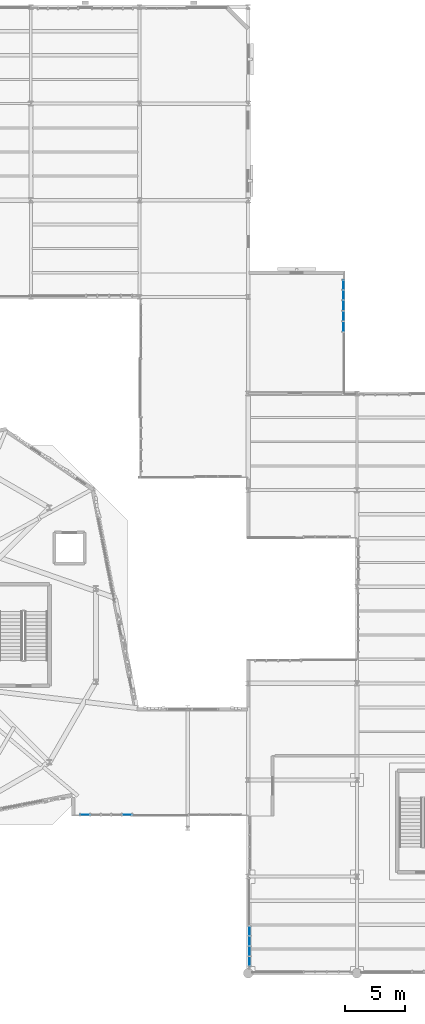
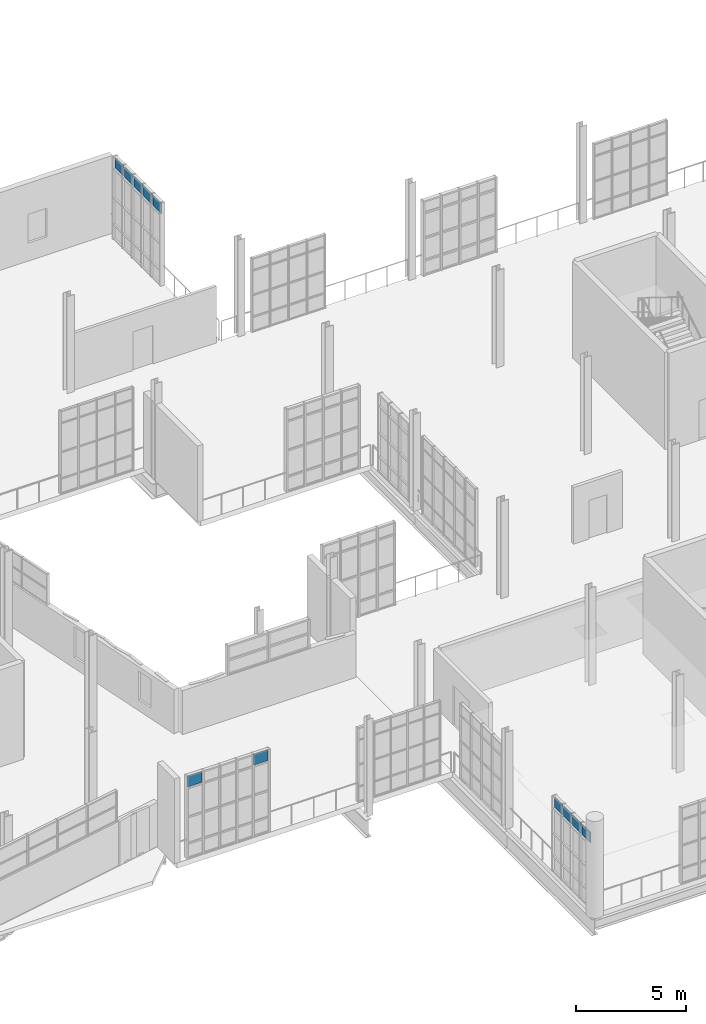
# One storey, part 120 of 142: 11 plates, 3 elements without a shape of their own.
"""IFC4 building model written with IfcOpenShell, lengths in metres."""

from ifc_helpers import new_model, si_unit, direction, frame, origin, origin_2d, place, context, subcontext, project, spatial, rectangle, extrude, material, layer, layer_set, type_object, element, aggregate, save


model = new_model("IFC4")

# Units and contexts
model_context = context("Model", 3, precision=1e-05, world=origin(), true_north=direction((0.0, 1.0)))
body_context = subcontext(model_context, "Body", "Model", "MODEL_VIEW")
ifc_project = project(units=[si_unit("LENGTHUNIT", "METRE"), si_unit("AREAUNIT", "SQUARE_METRE"), si_unit("VOLUMEUNIT", "CUBIC_METRE"), si_unit("PLANEANGLEUNIT", "RADIAN"), si_unit("MASSUNIT", "GRAM", prefix="KILO"), si_unit("THERMODYNAMICTEMPERATUREUNIT", "KELVIN"), si_unit("POWERUNIT", "WATT")], contexts=[model_context])

# Site, building, storey
site_placement = place(None, origin())
site = spatial("IfcSite", under=ifc_project, at=site_placement, CompositionType="ELEMENT")
building_placement = place(site_placement, origin())
building = spatial("IfcBuilding", under=site, at=building_placement, Name="Zelmaris Science Centre", CompositionType="ELEMENT")
storey_placement = place(building_placement, frame((0.0, 0.0, 5.39990234375)))
storey = spatial("IfcBuildingStorey", under=building, at=storey_placement, Name="L01", CompositionType="ELEMENT", Elevation=5.39990234375)

# Curtain wall, plates
ifc_material_1 = material(Name="Anodised architectural aluminium 6063-T6", Category="aluminium")
ifc_layer_1 = layer(ifc_material_1, 0.18994140625, Name="Anodised architectural aluminium 6063-T6")
ifc_layer_set_1 = layer_set([ifc_layer_1], Name="Anodised architectural aluminium 6063-T6")
curtain_wall_type_1 = type_object("IfcCurtainWallType", Name="Curtain Wall CW-01", PredefinedType="USERDEFINED", material=ifc_layer_set_1)
curtain_wall_1_placement = place(storey_placement, origin())
curtain_wall_1 = element("IfcCurtainWall", 1, at=curtain_wall_1_placement, inside=storey, type_object=curtain_wall_type_1, Name="L01 Unitised curtain wall 141", ObjectType="GLAZED CURTAIN WALL", PredefinedType="USERDEFINED")
ifc_material_2 = material(Name="Laminated hurricane-rated low-E insulated glazing", Category="glass")
ifc_layer_2 = layer(ifc_material_2, 0.031982421875, Name="Laminated hurricane-rated low-E insulated glazing")
ifc_layer_set_2 = layer_set([ifc_layer_2], Name="Laminated hurricane-rated low-E insulated glazing")
plate_type_1 = type_object("IfcPlateType", Name="Curtain Glazing Panel CWP-1 32mm", PredefinedType="CURTAIN_PANEL", material=ifc_layer_set_2)
plate_1_placement = place(storey_placement, frame((115.8798828125, 65.0048828125, 3.9560546875), z_axis=(0.0, 0.0, 1.0), x_axis=(2.2883815e-05, -0.999999999738, 0.0)))
plate_1 = element("IfcPlate", 2, at=plate_1_placement, type_object=plate_type_1, Name="CW-01 panel 1.4", PredefinedType="CURTAIN_PANEL", context=body_context, shape_type="SweptSolid", body=[
    extrude(rectangle(XDim=0.765869140625, YDim=0.031982421875, at=origin_2d()), origin(), (0.0, 0.0, 1.0), 0.592041015625),
])
plate_2_placement = place(storey_placement, frame((115.8798828125, 64.14892578125, 3.9560546875), z_axis=(0.0, 0.0, 1.0), x_axis=(2.2883815e-05, -0.999999999738, 0.0)))
plate_2 = element("IfcPlate", 3, at=plate_2_placement, type_object=plate_type_1, Name="CW-01 panel 2.4", PredefinedType="CURTAIN_PANEL", context=body_context, shape_type="SweptSolid", body=[
    extrude(rectangle(XDim=0.802001953125, YDim=0.031982421875, at=origin_2d()), origin(), (0.0, 0.0, 1.0), 0.592041015625),
])
plate_3_placement = place(storey_placement, frame((115.8798828125, 63.27490234375, 3.9560546875), z_axis=(0.0, 0.0, 1.0), x_axis=(2.2883815e-05, -0.999999999738, 0.0)))
plate_3 = element("IfcPlate", 4, at=plate_3_placement, type_object=plate_type_1, Name="CW-01 panel 3.4", PredefinedType="CURTAIN_PANEL", context=body_context, shape_type="SweptSolid", body=[
    extrude(rectangle(XDim=0.802001953125, YDim=0.031982421875, at=origin_2d()), origin(), (0.0, 0.0, 1.0), 0.592041015625),
])
plate_4_placement = place(storey_placement, frame((115.8798828125, 62.40087890625, 3.9560546875), z_axis=(0.0, 0.0, 1.0), x_axis=(2.2883815e-05, -0.999999999738, 0.0)))
plate_4 = element("IfcPlate", 5, at=plate_4_placement, type_object=plate_type_1, Name="CW-01 panel 4.4", PredefinedType="CURTAIN_PANEL", context=body_context, shape_type="SweptSolid", body=[
    extrude(rectangle(XDim=0.802001953125, YDim=0.031982421875, at=origin_2d()), origin(), (0.0, 0.0, 1.0), 0.592041015625),
])
plate_5_placement = place(storey_placement, frame((115.8798828125, 61.544921875, 3.9560546875), z_axis=(0.0, 0.0, 1.0), x_axis=(2.2883815e-05, -0.999999999738, 0.0)))
plate_5 = element("IfcPlate", 6, at=plate_5_placement, type_object=plate_type_1, Name="CW-01 panel 5.4", PredefinedType="CURTAIN_PANEL", context=body_context, shape_type="SweptSolid", body=[
    extrude(rectangle(XDim=0.765869140625, YDim=0.031982421875, at=origin_2d()), origin(), (0.0, 0.0, 1.0), 0.592041015625),
])
aggregate(curtain_wall_1, [plate_1, plate_2, plate_3, plate_4, plate_5])

curtain_wall_2_placement = place(storey_placement, origin())
curtain_wall_2 = element("IfcCurtainWall", 7, at=curtain_wall_2_placement, inside=storey, type_object=curtain_wall_type_1, Name="L01 Unitised curtain wall 169", ObjectType="GLAZED CURTAIN WALL", PredefinedType="USERDEFINED")
plate_6_placement = place(storey_placement, frame((108.1201171875, 8.983154296875, 3.52197265625), z_axis=(0.0, 0.0, 1.0), x_axis=(-2.9412638e-05, 0.999999999567, 0.0)))
plate_6 = element("IfcPlate", 8, at=plate_6_placement, type_object=plate_type_1, Name="CW-01 panel 1.4", PredefinedType="CURTAIN_PANEL", context=body_context, shape_type="SweptSolid", body=[
    extrude(rectangle(XDim=0.741943359375, YDim=0.031982421875, at=origin_2d()), origin(), (0.0, 0.0, 1.0), 0.592041015625),
])
plate_7_placement = place(storey_placement, frame((108.1201171875, 9.81494140625, 3.52197265625), z_axis=(0.0, 0.0, 1.0), x_axis=(-2.9412638e-05, 0.999999999567, 0.0)))
plate_7 = element("IfcPlate", 9, at=plate_7_placement, type_object=plate_type_1, Name="CW-01 panel 2.4", PredefinedType="CURTAIN_PANEL", context=body_context, shape_type="SweptSolid", body=[
    extrude(rectangle(XDim=0.778076171875, YDim=0.031982421875, at=origin_2d()), origin(), (0.0, 0.0, 1.0), 0.592041015625),
])
plate_8_placement = place(storey_placement, frame((108.1201171875, 10.6650390625, 3.52197265625), z_axis=(0.0, 0.0, 1.0), x_axis=(-2.9412638e-05, 0.999999999567, 0.0)))
plate_8 = element("IfcPlate", 10, at=plate_8_placement, type_object=plate_type_1, Name="CW-01 panel 3.4", PredefinedType="CURTAIN_PANEL", context=body_context, shape_type="SweptSolid", body=[
    extrude(rectangle(XDim=0.778076171875, YDim=0.031982421875, at=origin_2d()), origin(), (0.0, 0.0, 1.0), 0.592041015625),
])
plate_9_placement = place(storey_placement, frame((108.1201171875, 11.4970703125, 3.52197265625), z_axis=(0.0, 0.0, 1.0), x_axis=(-2.9412638e-05, 0.999999999567, 0.0)))
plate_9 = element("IfcPlate", 11, at=plate_9_placement, type_object=plate_type_1, Name="CW-01 panel 4.4", PredefinedType="CURTAIN_PANEL", context=body_context, shape_type="SweptSolid", body=[
    extrude(rectangle(XDim=0.741943359375, YDim=0.031982421875, at=origin_2d()), origin(), (0.0, 0.0, 1.0), 0.592041015625),
])
aggregate(curtain_wall_2, [plate_6, plate_7, plate_8, plate_9])

ifc_layer_3 = layer(ifc_material_1, 0.199951171875, Name="Anodised architectural aluminium 6063-T6")
ifc_layer_set_3 = layer_set([ifc_layer_3], Name="Anodised architectural aluminium 6063-T6")
curtain_wall_type_2 = type_object("IfcCurtainWallType", Name="Curtain Wall CW-02", PredefinedType="USERDEFINED", material=ifc_layer_set_3)
curtain_wall_3_placement = place(storey_placement, origin())
curtain_wall_3 = element("IfcCurtainWall", 12, at=curtain_wall_3_placement, inside=storey, type_object=curtain_wall_type_2, Name="L01 Unitised curtain wall 174", ObjectType="GLAZED CURTAIN WALL", PredefinedType="USERDEFINED")
ifc_layer_4 = layer(ifc_material_2, 0.028076171875, Name="Laminated hurricane-rated low-E insulated glazing")
ifc_layer_set_4 = layer_set([ifc_layer_4], Name="Laminated hurricane-rated low-E insulated glazing")
plate_type_2 = type_object("IfcPlateType", Name="Curtain Glazing Panel CWP-2 28mm", PredefinedType="CURTAIN_PANEL", material=ifc_layer_set_4)
plate_10_placement = place(storey_placement, frame((97.966064453125, 21.11865234375, 3.95361328125), z_axis=(0.0, 0.0, 1.0), x_axis=(-0.999999948938, 0.00031956903, 0.0)))
plate_10 = element("IfcPlate", 13, at=plate_10_placement, type_object=plate_type_2, Name="CW-02 panel 1.4", PredefinedType="CURTAIN_PANEL", context=body_context, shape_type="SweptSolid", body=[
    extrude(rectangle(XDim=0.775634765625, YDim=0.028076171875, at=origin_2d()), origin(), (0.0, 0.0, 1.0), 0.599609375),
])
plate_11_placement = place(storey_placement, frame((94.494873046875, 21.119873046875, 3.95361328125), z_axis=(0.0, 0.0, 1.0), x_axis=(-0.999999948938, 0.00031956903, 0.0)))
plate_11 = element("IfcPlate", 14, at=plate_11_placement, type_object=plate_type_2, Name="CW-02 panel 5.4", PredefinedType="CURTAIN_PANEL", context=body_context, shape_type="SweptSolid", body=[
    extrude(rectangle(XDim=0.775634765625, YDim=0.028076171875, at=origin_2d()), origin(), (0.0, 0.0, 1.0), 0.599609375),
])
aggregate(curtain_wall_3, [plate_10, plate_11])

save(model, "model.ifc")
